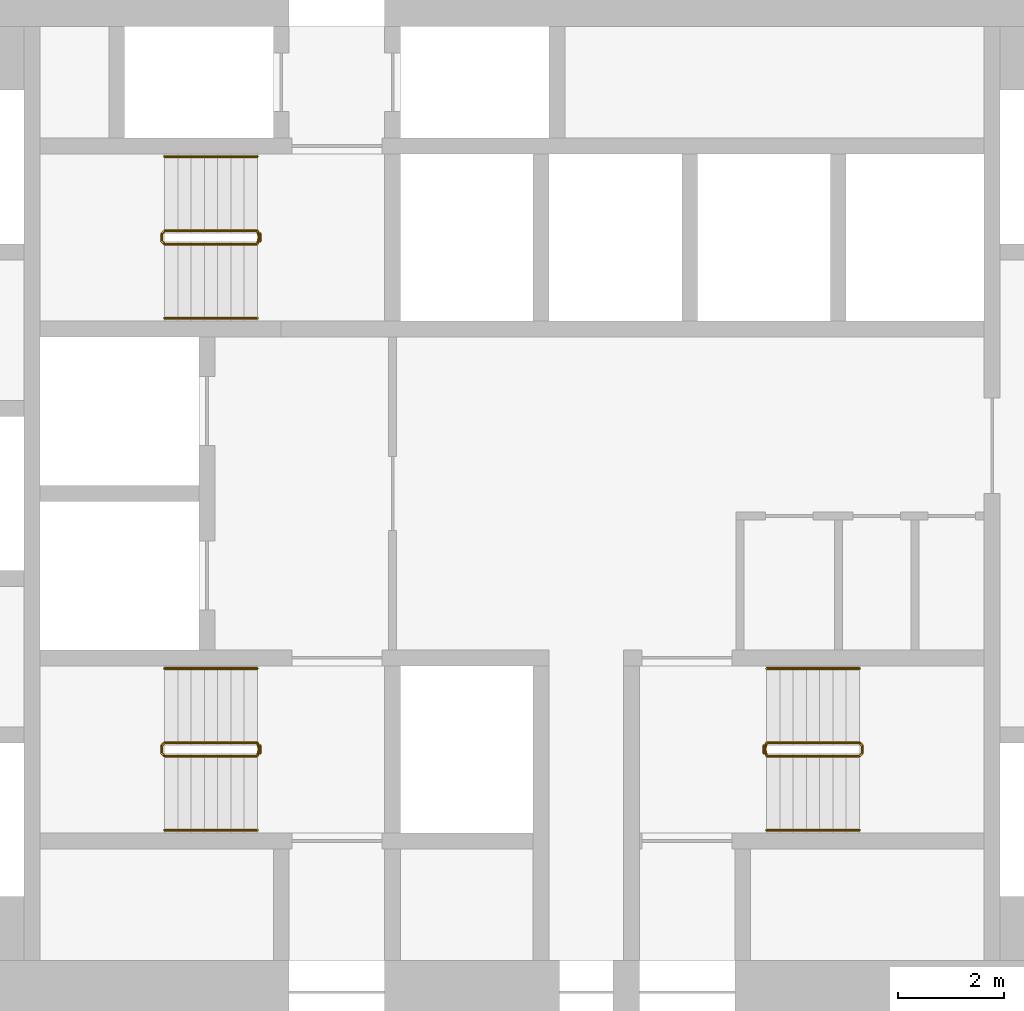
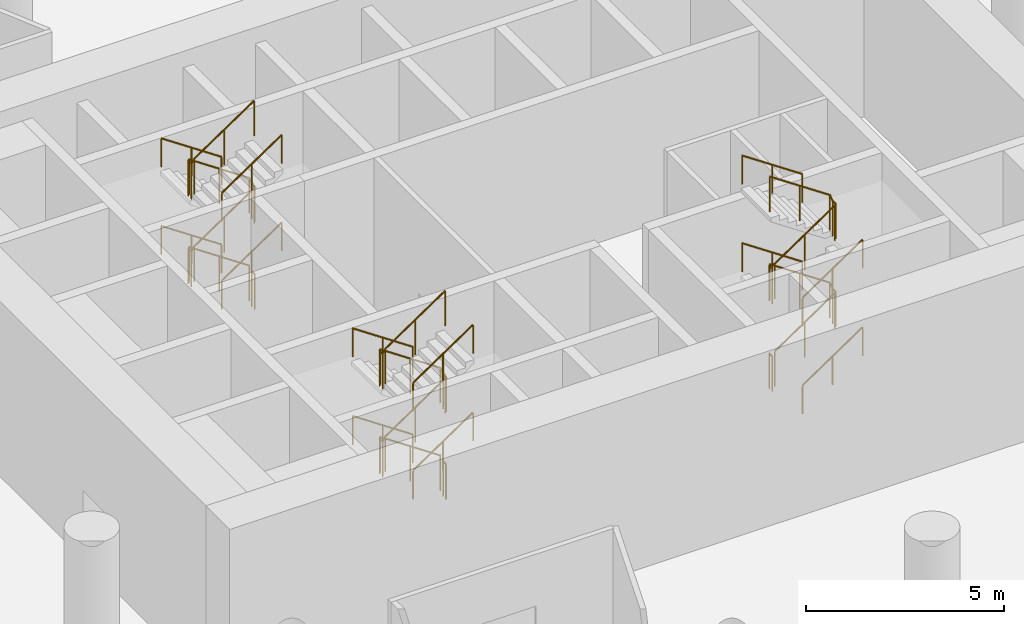
# One storey, part 27 of 27: 18 railings.
"""IFC4 building model written with IfcOpenShell, lengths in metres."""

from ifc_helpers import new_model, si_unit, direction, frame, origin, origin_2d, place, context, subcontext, project, spatial, circle, extrude, material, type_object, element, save


model = new_model("IFC4")

# Units and contexts
model_context = context("Model", 3, precision=1e-05, world=origin(), true_north=direction((0.0, 1.0)))
body_context = subcontext(model_context, "Body", "Model", "MODEL_VIEW")
ifc_project = project(units=[si_unit("LENGTHUNIT", "METRE"), si_unit("AREAUNIT", "SQUARE_METRE"), si_unit("VOLUMEUNIT", "CUBIC_METRE"), si_unit("PLANEANGLEUNIT", "RADIAN"), si_unit("MASSUNIT", "GRAM", prefix="KILO")], contexts=[model_context])

# Site, building, storey
site_placement = place(None, origin())
site = spatial("IfcSite", under=ifc_project, at=site_placement, CompositionType="ELEMENT")
building_placement = place(site_placement, origin())
building = spatial("IfcBuilding", under=site, at=building_placement, Name="Tracery Tower", CompositionType="ELEMENT")
storey_placement = place(building_placement, frame((0.0, 0.0, 114.60009765625)))
storey = spatial("IfcBuildingStorey", under=building, at=storey_placement, Name="L29", CompositionType="ELEMENT", Elevation=114.60009765625)

# Railings
ifc_material_1 = material(Name="Stainless steel and laminated glass", Category="steel")
railing_type_1 = type_object("IfcRailingType", Name="Stair guard 1100", PredefinedType="GUARDRAIL", material=ifc_material_1)
railing_1_placement = place(storey_placement, frame((-4.800048828125, -4.699951171875, 0.168701171875)))
element("IfcRailing", 1, at=railing_1_placement, inside=storey, type_object=railing_type_1, Name="L29 stair ST1 guard 1", PredefinedType="GUARDRAIL", context=body_context, shape_type="SweptSolid", body=[
    extrude(circle(Radius=0.02392578125, at=origin_2d()), frame((0.0, 0.0, 1.076171875), z_axis=(-0.828870122254, 0.0, 0.559441078608), x_axis=(0.0, -1.0, 0.0)), (0.0, 0.0, 1.0), 2.111328125),
    extrude(circle(Radius=0.02392578125, at=origin_2d()), frame((-1.75, 0.0, 2.25732421875), z_axis=(-0.707106781187, -0.707106781187, 0.0), x_axis=(0.707106781187, -0.707106781187, 0.0)), (0.0, 0.0, 1.0), 0.07080078125),
    extrude(circle(Radius=0.02392578125, at=origin_2d()), frame((-1.800048828125, -0.050048828125, 2.25732421875), z_axis=(0.0, -1.0, 0.0), x_axis=(1.0, 0.0, 0.0)), (0.0, 0.0, 1.0), 0.14990234375),
    extrude(circle(Radius=0.02392578125, at=origin_2d()), frame((-1.800048828125, -0.199951171875, 2.25732421875), z_axis=(0.273569069059, -0.273569069059, 0.922127935218), x_axis=(0.707106781187, 0.707106781187, 0.0)), (0.0, 0.0, 1.0), 0.182861328125),
    extrude(circle(Radius=0.02392578125, at=origin_2d()), frame((-1.75, -0.25, 2.42578125), z_axis=(0.828816501605, 0.0, 0.559520514965), x_axis=(0.0, 1.0, 0.0)), (0.0, 0.0, 1.0), 2.111328125),
    extrude(circle(Radius=0.02392578125, at=origin_2d()), frame((0.0, -0.25, 3.607421875), z_axis=(0.242814311512, 0.970072785993, 0.0), x_axis=(-0.970072785993, 0.242814311512, 0.0)), (0.0, 0.0, 1.0), 0.2060546875),
    extrude(circle(Radius=0.02392578125, at=origin_2d()), frame((0.050048828125, -0.050048828125, 3.607421875), z_axis=(0.0, -1.0, 0.0), x_axis=(1.0, 0.0, 0.0)), (0.0, 0.0, 1.0), 0.14990234375),
    extrude(circle(Radius=0.02392578125, at=origin_2d()), frame((0.050048828125, -0.199951171875, 3.607421875), z_axis=(-0.187902113298, 0.750691857518, 0.633367611166), x_axis=(-0.970072785993, -0.242814311512, 0.0)), (0.0, 0.0, 1.0), 0.266357421875),
    extrude(circle(Radius=0.02392578125, at=origin_2d()), frame((0.0, 0.0, 3.77587890625), z_axis=(-0.828870122254, 0.0, 0.559441078608), x_axis=(0.0, -1.0, 0.0)), (0.0, 0.0, 1.0), 2.111328125),
    extrude(circle(Radius=0.02392578125, at=origin_2d()), frame((-1.75, 0.0, 4.95703125), z_axis=(-0.707106781187, -0.707106781187, 0.0), x_axis=(0.707106781187, -0.707106781187, 0.0)), (0.0, 0.0, 1.0), 0.07080078125),
    extrude(circle(Radius=0.02392578125, at=origin_2d()), frame((-1.800048828125, -0.050048828125, 4.95703125), z_axis=(0.0, -1.0, 0.0), x_axis=(1.0, 0.0, 0.0)), (0.0, 0.0, 1.0), 0.14990234375),
    extrude(circle(Radius=0.02392578125, at=origin_2d()), frame((-1.800048828125, -0.199951171875, 4.95703125), z_axis=(0.273232802156, -0.273232802156, 0.922327312645), x_axis=(0.707106781187, 0.707106781187, 0.0)), (0.0, 0.0, 1.0), 0.18310546875),
    extrude(circle(Radius=0.02392578125, at=origin_2d()), frame((-1.75, -0.25, 5.1259765625), z_axis=(0.828870122254, 0.0, 0.559441078608), x_axis=(0.0, 1.0, 0.0)), (0.0, 0.0, 1.0), 2.111328125),
    extrude(circle(Radius=0.02099609375, at=origin_2d()), origin(), (0.0, 0.0, 1.0), 1.052001953125),
    extrude(circle(Radius=0.02099609375, at=origin_2d()), frame((-0.875, 0.0, 0.590576171875)), (0.0, 0.0, 1.0), 1.052001953125),
    extrude(circle(Radius=0.02099609375, at=origin_2d()), frame((-1.75, 0.0, 1.18115234375)), (0.0, 0.0, 1.0), 1.052001953125),
    extrude(circle(Radius=0.02099609375, at=origin_2d()), frame((-1.800048828125, -0.050048828125, 1.18115234375)), (0.0, 0.0, 1.0), 1.052001953125),
    extrude(circle(Radius=0.02099609375, at=origin_2d()), frame((-1.800048828125, -0.199951171875, 1.18115234375)), (0.0, 0.0, 1.0), 1.052001953125),
    extrude(circle(Radius=0.02099609375, at=origin_2d()), frame((-1.75, -0.25, 1.349853515625)), (0.0, 0.0, 1.0), 1.052001953125),
    extrude(circle(Radius=0.02099609375, at=origin_2d()), frame((-0.875, -0.25, 1.9404296875)), (0.0, 0.0, 1.0), 1.052001953125),
    extrude(circle(Radius=0.02099609375, at=origin_2d()), frame((0.0, -0.25, 2.53125)), (0.0, 0.0, 1.0), 1.052001953125),
    extrude(circle(Radius=0.02099609375, at=origin_2d()), frame((0.050048828125, -0.050048828125, 2.53125)), (0.0, 0.0, 1.0), 1.052001953125),
    extrude(circle(Radius=0.02099609375, at=origin_2d()), frame((0.050048828125, -0.199951171875, 2.53125)), (0.0, 0.0, 1.0), 1.052001953125),
    extrude(circle(Radius=0.02099609375, at=origin_2d()), frame((0.0, 0.0, 2.699951171875)), (0.0, 0.0, 1.0), 1.052001953125),
    extrude(circle(Radius=0.02099609375, at=origin_2d()), frame((-0.875, 0.0, 3.29052734375)), (0.0, 0.0, 1.0), 1.052001953125),
    extrude(circle(Radius=0.02099609375, at=origin_2d()), frame((-1.75, 0.0, 3.881103515625)), (0.0, 0.0, 1.0), 1.052001953125),
    extrude(circle(Radius=0.02099609375, at=origin_2d()), frame((-1.800048828125, -0.050048828125, 3.881103515625)), (0.0, 0.0, 1.0), 1.052001953125),
    extrude(circle(Radius=0.02099609375, at=origin_2d()), frame((-1.800048828125, -0.199951171875, 3.881103515625)), (0.0, 0.0, 1.0), 1.052001953125),
    extrude(circle(Radius=0.02099609375, at=origin_2d()), frame((-1.75, -0.25, 4.050048828125)), (0.0, 0.0, 1.0), 1.052001953125),
    extrude(circle(Radius=0.02099609375, at=origin_2d()), frame((-0.875, -0.25, 4.640625)), (0.0, 0.0, 1.0), 1.052001953125),
    extrude(circle(Radius=0.02099609375, at=origin_2d()), frame((0.0, -0.25, 5.231201171875)), (0.0, 0.0, 1.0), 1.052001953125),
])
railing_2_placement = place(storey_placement, frame((-4.75, -4.75, 0.0)))
element("IfcRailing", 2, at=railing_2_placement, inside=storey, type_object=railing_type_1, Name="L29 stair ST1 guard 2", PredefinedType="GUARDRAIL", context=body_context, shape_type="SweptSolid", body=[
    extrude(circle(Radius=0.02392578125, at=origin_2d()), frame((0.0, 0.0, 1.076171875), z_axis=(0.0, -1.0, 0.0), x_axis=(1.0, 0.0, 0.0)), (0.0, 0.0, 1.0), 0.14990234375),
    extrude(circle(Radius=0.02099609375, at=origin_2d()), origin(), (0.0, 0.0, 1.0), 1.052001953125),
    extrude(circle(Radius=0.02099609375, at=origin_2d()), frame((0.0, -0.14990234375, 0.0)), (0.0, 0.0, 1.0), 1.052001953125),
])
railing_3_placement = place(storey_placement, frame((-4.800048828125, 4.949951171875, 0.168701171875)))
element("IfcRailing", 3, at=railing_3_placement, inside=storey, type_object=railing_type_1, Name="L29 stair ST3 guard 1", PredefinedType="GUARDRAIL", context=body_context, shape_type="SweptSolid", body=[
    extrude(circle(Radius=0.02392578125, at=origin_2d()), frame((0.0, 0.0, 1.076171875), z_axis=(-0.828870122254, 0.0, 0.559441078608), x_axis=(0.0, -1.0, 0.0)), (0.0, 0.0, 1.0), 2.111328125),
    extrude(circle(Radius=0.02392578125, at=origin_2d()), frame((-1.75, 0.0, 2.25732421875), z_axis=(-0.707106781187, -0.707106781187, 0.0), x_axis=(0.707106781187, -0.707106781187, 0.0)), (0.0, 0.0, 1.0), 0.07080078125),
    extrude(circle(Radius=0.02392578125, at=origin_2d()), frame((-1.800048828125, -0.050048828125, 2.25732421875), z_axis=(0.0, -1.0, 0.0), x_axis=(1.0, 0.0, 0.0)), (0.0, 0.0, 1.0), 0.14990234375),
    extrude(circle(Radius=0.02392578125, at=origin_2d()), frame((-1.800048828125, -0.199951171875, 2.25732421875), z_axis=(0.273569069059, -0.273569069059, 0.922127935218), x_axis=(0.707106781187, 0.707106781187, 0.0)), (0.0, 0.0, 1.0), 0.182861328125),
    extrude(circle(Radius=0.02392578125, at=origin_2d()), frame((-1.75, -0.25, 2.42578125), z_axis=(0.828816501605, 0.0, 0.559520514965), x_axis=(0.0, 1.0, 0.0)), (0.0, 0.0, 1.0), 2.111328125),
    extrude(circle(Radius=0.02392578125, at=origin_2d()), frame((0.0, -0.25, 3.607421875), z_axis=(0.242814311512, 0.970072785993, 0.0), x_axis=(-0.970072785993, 0.242814311512, 0.0)), (0.0, 0.0, 1.0), 0.2060546875),
    extrude(circle(Radius=0.02392578125, at=origin_2d()), frame((0.050048828125, -0.050048828125, 3.607421875), z_axis=(0.0, -1.0, 0.0), x_axis=(1.0, 0.0, 0.0)), (0.0, 0.0, 1.0), 0.14990234375),
    extrude(circle(Radius=0.02392578125, at=origin_2d()), frame((0.050048828125, -0.199951171875, 3.607421875), z_axis=(-0.187902113298, 0.750691857518, 0.633367611166), x_axis=(-0.970072785993, -0.242814311512, 0.0)), (0.0, 0.0, 1.0), 0.266357421875),
    extrude(circle(Radius=0.02392578125, at=origin_2d()), frame((0.0, 0.0, 3.77587890625), z_axis=(-0.828870122254, 0.0, 0.559441078608), x_axis=(0.0, -1.0, 0.0)), (0.0, 0.0, 1.0), 2.111328125),
    extrude(circle(Radius=0.02392578125, at=origin_2d()), frame((-1.75, 0.0, 4.95703125), z_axis=(-0.707106781187, -0.707106781187, 0.0), x_axis=(0.707106781187, -0.707106781187, 0.0)), (0.0, 0.0, 1.0), 0.07080078125),
    extrude(circle(Radius=0.02392578125, at=origin_2d()), frame((-1.800048828125, -0.050048828125, 4.95703125), z_axis=(0.0, -1.0, 0.0), x_axis=(1.0, 0.0, 0.0)), (0.0, 0.0, 1.0), 0.14990234375),
    extrude(circle(Radius=0.02392578125, at=origin_2d()), frame((-1.800048828125, -0.199951171875, 4.95703125), z_axis=(0.273232802156, -0.273232802156, 0.922327312645), x_axis=(0.707106781187, 0.707106781187, 0.0)), (0.0, 0.0, 1.0), 0.18310546875),
    extrude(circle(Radius=0.02392578125, at=origin_2d()), frame((-1.75, -0.25, 5.1259765625), z_axis=(0.828870122254, 0.0, 0.559441078608), x_axis=(0.0, 1.0, 0.0)), (0.0, 0.0, 1.0), 2.111328125),
    extrude(circle(Radius=0.02099609375, at=origin_2d()), origin(), (0.0, 0.0, 1.0), 1.052001953125),
    extrude(circle(Radius=0.02099609375, at=origin_2d()), frame((-0.875, 0.0, 0.590576171875)), (0.0, 0.0, 1.0), 1.052001953125),
    extrude(circle(Radius=0.02099609375, at=origin_2d()), frame((-1.75, 0.0, 1.18115234375)), (0.0, 0.0, 1.0), 1.052001953125),
    extrude(circle(Radius=0.02099609375, at=origin_2d()), frame((-1.800048828125, -0.050048828125, 1.18115234375)), (0.0, 0.0, 1.0), 1.052001953125),
    extrude(circle(Radius=0.02099609375, at=origin_2d()), frame((-1.800048828125, -0.199951171875, 1.18115234375)), (0.0, 0.0, 1.0), 1.052001953125),
    extrude(circle(Radius=0.02099609375, at=origin_2d()), frame((-1.75, -0.25, 1.349853515625)), (0.0, 0.0, 1.0), 1.052001953125),
    extrude(circle(Radius=0.02099609375, at=origin_2d()), frame((-0.875, -0.25, 1.9404296875)), (0.0, 0.0, 1.0), 1.052001953125),
    extrude(circle(Radius=0.02099609375, at=origin_2d()), frame((0.0, -0.25, 2.53125)), (0.0, 0.0, 1.0), 1.052001953125),
    extrude(circle(Radius=0.02099609375, at=origin_2d()), frame((0.050048828125, -0.050048828125, 2.53125)), (0.0, 0.0, 1.0), 1.052001953125),
    extrude(circle(Radius=0.02099609375, at=origin_2d()), frame((0.050048828125, -0.199951171875, 2.53125)), (0.0, 0.0, 1.0), 1.052001953125),
    extrude(circle(Radius=0.02099609375, at=origin_2d()), frame((0.0, 0.0, 2.699951171875)), (0.0, 0.0, 1.0), 1.052001953125),
    extrude(circle(Radius=0.02099609375, at=origin_2d()), frame((-0.875, 0.0, 3.29052734375)), (0.0, 0.0, 1.0), 1.052001953125),
    extrude(circle(Radius=0.02099609375, at=origin_2d()), frame((-1.75, 0.0, 3.881103515625)), (0.0, 0.0, 1.0), 1.052001953125),
    extrude(circle(Radius=0.02099609375, at=origin_2d()), frame((-1.800048828125, -0.050048828125, 3.881103515625)), (0.0, 0.0, 1.0), 1.052001953125),
    extrude(circle(Radius=0.02099609375, at=origin_2d()), frame((-1.800048828125, -0.199951171875, 3.881103515625)), (0.0, 0.0, 1.0), 1.052001953125),
    extrude(circle(Radius=0.02099609375, at=origin_2d()), frame((-1.75, -0.25, 4.050048828125)), (0.0, 0.0, 1.0), 1.052001953125),
    extrude(circle(Radius=0.02099609375, at=origin_2d()), frame((-0.875, -0.25, 4.640625)), (0.0, 0.0, 1.0), 1.052001953125),
    extrude(circle(Radius=0.02099609375, at=origin_2d()), frame((0.0, -0.25, 5.231201171875)), (0.0, 0.0, 1.0), 1.052001953125),
])
railing_4_placement = place(storey_placement, frame((-4.75, 4.89990234375, 0.0)))
element("IfcRailing", 4, at=railing_4_placement, inside=storey, type_object=railing_type_1, Name="L29 stair ST3 guard 2", PredefinedType="GUARDRAIL", context=body_context, shape_type="SweptSolid", body=[
    extrude(circle(Radius=0.02392578125, at=origin_2d()), frame((0.0, 0.0, 1.076171875), z_axis=(0.0, -1.0, 0.0), x_axis=(1.0, 0.0, 0.0)), (0.0, 0.0, 1.0), 0.14990234375),
    extrude(circle(Radius=0.02099609375, at=origin_2d()), origin(), (0.0, 0.0, 1.0), 1.052001953125),
    extrude(circle(Radius=0.02099609375, at=origin_2d()), frame((0.0, -0.14990234375, 0.0)), (0.0, 0.0, 1.0), 1.052001953125),
])
railing_5_placement = place(storey_placement, frame((4.800048828125, -4.949951171875, 0.168701171875)))
element("IfcRailing", 5, at=railing_5_placement, inside=storey, type_object=railing_type_1, Name="L29 stair ST2 guard 1", PredefinedType="GUARDRAIL", context=body_context, shape_type="SweptSolid", body=[
    extrude(circle(Radius=0.02392578125, at=origin_2d()), frame((0.0, 0.0, 1.076171875), z_axis=(0.828870122254, 0.0, 0.559441078608), x_axis=(0.0, 1.0, 0.0)), (0.0, 0.0, 1.0), 2.111328125),
    extrude(circle(Radius=0.02392578125, at=origin_2d()), frame((1.75, 0.0, 2.25732421875), z_axis=(0.707106781187, 0.707106781187, 0.0), x_axis=(-0.707106781187, 0.707106781187, 0.0)), (0.0, 0.0, 1.0), 0.07080078125),
    extrude(circle(Radius=0.02392578125, at=origin_2d()), frame((1.800048828125, 0.050048828125, 2.25732421875), z_axis=(0.0, 1.0, 0.0), x_axis=(-1.0, 0.0, 0.0)), (0.0, 0.0, 1.0), 0.14990234375),
    extrude(circle(Radius=0.02392578125, at=origin_2d()), frame((1.800048828125, 0.199951171875, 2.25732421875), z_axis=(-0.273569069059, 0.273569069059, 0.922127935218), x_axis=(-0.707106781187, -0.707106781187, 0.0)), (0.0, 0.0, 1.0), 0.182861328125),
    extrude(circle(Radius=0.02392578125, at=origin_2d()), frame((1.75, 0.25, 2.42578125), z_axis=(-0.828816501605, 0.0, 0.559520514965), x_axis=(0.0, -1.0, 0.0)), (0.0, 0.0, 1.0), 2.111328125),
    extrude(circle(Radius=0.02392578125, at=origin_2d()), frame((0.0, 0.25, 3.607421875), z_axis=(-0.242814311512, -0.970072785993, 0.0), x_axis=(0.970072785993, -0.242814311512, 0.0)), (0.0, 0.0, 1.0), 0.2060546875),
    extrude(circle(Radius=0.02392578125, at=origin_2d()), frame((-0.050048828125, 0.050048828125, 3.607421875), z_axis=(0.0, 1.0, 0.0), x_axis=(-1.0, 0.0, 0.0)), (0.0, 0.0, 1.0), 0.14990234375),
    extrude(circle(Radius=0.02392578125, at=origin_2d()), frame((-0.050048828125, 0.199951171875, 3.607421875), z_axis=(0.187902113298, -0.750691857518, 0.633367611166), x_axis=(0.970072785993, 0.242814311512, 0.0)), (0.0, 0.0, 1.0), 0.266357421875),
    extrude(circle(Radius=0.02392578125, at=origin_2d()), frame((0.0, 0.0, 3.77587890625), z_axis=(0.828870122254, 0.0, 0.559441078608), x_axis=(0.0, 1.0, 0.0)), (0.0, 0.0, 1.0), 2.111328125),
    extrude(circle(Radius=0.02392578125, at=origin_2d()), frame((1.75, 0.0, 4.95703125), z_axis=(0.707106781187, 0.707106781187, 0.0), x_axis=(-0.707106781187, 0.707106781187, 0.0)), (0.0, 0.0, 1.0), 0.07080078125),
    extrude(circle(Radius=0.02392578125, at=origin_2d()), frame((1.800048828125, 0.050048828125, 4.95703125), z_axis=(0.0, 1.0, 0.0), x_axis=(-1.0, 0.0, 0.0)), (0.0, 0.0, 1.0), 0.14990234375),
    extrude(circle(Radius=0.02392578125, at=origin_2d()), frame((1.800048828125, 0.199951171875, 4.95703125), z_axis=(-0.273232802156, 0.273232802156, 0.922327312645), x_axis=(-0.707106781187, -0.707106781187, 0.0)), (0.0, 0.0, 1.0), 0.18310546875),
    extrude(circle(Radius=0.02392578125, at=origin_2d()), frame((1.75, 0.25, 5.1259765625), z_axis=(-0.828870122254, 0.0, 0.559441078608), x_axis=(0.0, -1.0, 0.0)), (0.0, 0.0, 1.0), 2.111328125),
    extrude(circle(Radius=0.02099609375, at=origin_2d()), origin(), (0.0, 0.0, 1.0), 1.052001953125),
    extrude(circle(Radius=0.02099609375, at=origin_2d()), frame((0.875, 0.0, 0.590576171875)), (0.0, 0.0, 1.0), 1.052001953125),
    extrude(circle(Radius=0.02099609375, at=origin_2d()), frame((1.75, 0.0, 1.18115234375)), (0.0, 0.0, 1.0), 1.052001953125),
    extrude(circle(Radius=0.02099609375, at=origin_2d()), frame((1.800048828125, 0.050048828125, 1.18115234375)), (0.0, 0.0, 1.0), 1.052001953125),
    extrude(circle(Radius=0.02099609375, at=origin_2d()), frame((1.800048828125, 0.199951171875, 1.18115234375)), (0.0, 0.0, 1.0), 1.052001953125),
    extrude(circle(Radius=0.02099609375, at=origin_2d()), frame((1.75, 0.25, 1.349853515625)), (0.0, 0.0, 1.0), 1.052001953125),
    extrude(circle(Radius=0.02099609375, at=origin_2d()), frame((0.875, 0.25, 1.9404296875)), (0.0, 0.0, 1.0), 1.052001953125),
    extrude(circle(Radius=0.02099609375, at=origin_2d()), frame((0.0, 0.25, 2.53125)), (0.0, 0.0, 1.0), 1.052001953125),
    extrude(circle(Radius=0.02099609375, at=origin_2d()), frame((-0.050048828125, 0.050048828125, 2.53125)), (0.0, 0.0, 1.0), 1.052001953125),
    extrude(circle(Radius=0.02099609375, at=origin_2d()), frame((-0.050048828125, 0.199951171875, 2.53125)), (0.0, 0.0, 1.0), 1.052001953125),
    extrude(circle(Radius=0.02099609375, at=origin_2d()), frame((0.0, 0.0, 2.699951171875)), (0.0, 0.0, 1.0), 1.052001953125),
    extrude(circle(Radius=0.02099609375, at=origin_2d()), frame((0.875, 0.0, 3.29052734375)), (0.0, 0.0, 1.0), 1.052001953125),
    extrude(circle(Radius=0.02099609375, at=origin_2d()), frame((1.75, 0.0, 3.881103515625)), (0.0, 0.0, 1.0), 1.052001953125),
    extrude(circle(Radius=0.02099609375, at=origin_2d()), frame((1.800048828125, 0.050048828125, 3.881103515625)), (0.0, 0.0, 1.0), 1.052001953125),
    extrude(circle(Radius=0.02099609375, at=origin_2d()), frame((1.800048828125, 0.199951171875, 3.881103515625)), (0.0, 0.0, 1.0), 1.052001953125),
    extrude(circle(Radius=0.02099609375, at=origin_2d()), frame((1.75, 0.25, 4.050048828125)), (0.0, 0.0, 1.0), 1.052001953125),
    extrude(circle(Radius=0.02099609375, at=origin_2d()), frame((0.875, 0.25, 4.640625)), (0.0, 0.0, 1.0), 1.052001953125),
    extrude(circle(Radius=0.02099609375, at=origin_2d()), frame((0.0, 0.25, 5.231201171875)), (0.0, 0.0, 1.0), 1.052001953125),
])
railing_6_placement = place(storey_placement, frame((4.75, -4.89990234375, 0.0)))
element("IfcRailing", 6, at=railing_6_placement, inside=storey, type_object=railing_type_1, Name="L29 stair ST2 guard 2", PredefinedType="GUARDRAIL", context=body_context, shape_type="SweptSolid", body=[
    extrude(circle(Radius=0.02392578125, at=origin_2d()), frame((0.0, 0.0, 1.076171875), z_axis=(0.0, 1.0, 0.0), x_axis=(-1.0, 0.0, 0.0)), (0.0, 0.0, 1.0), 0.14990234375),
    extrude(circle(Radius=0.02099609375, at=origin_2d()), origin(), (0.0, 0.0, 1.0), 1.052001953125),
    extrude(circle(Radius=0.02099609375, at=origin_2d()), frame((0.0, 0.14990234375, 0.0)), (0.0, 0.0, 1.0), 1.052001953125),
])
ifc_material_2 = material(Name="Stainless steel and laminated glass", Category="steel")
railing_type_2 = type_object("IfcRailingType", Name="Stair handrail 900", PredefinedType="HANDRAIL", material=ifc_material_2)
railing_7_placement = place(storey_placement, frame((-4.800048828125, -3.300048828125, 0.168701171875)))
element("IfcRailing", 7, at=railing_7_placement, inside=storey, type_object=railing_type_2, Name="L29 stair ST1 handrail 1", PredefinedType="HANDRAIL", context=body_context, shape_type="SweptSolid", body=[
    extrude(circle(Radius=0.02392578125, at=origin_2d()), frame((0.0, 0.0, 0.8759765625), z_axis=(-0.828870122254, 0.0, 0.559441078608), x_axis=(0.0, -1.0, 0.0)), (0.0, 0.0, 1.0), 2.111328125),
    extrude(circle(Radius=0.02099609375, at=origin_2d()), origin(), (0.0, 0.0, 1.0), 0.851806640625),
    extrude(circle(Radius=0.02099609375, at=origin_2d()), frame((-0.875, 0.0, 0.590576171875)), (0.0, 0.0, 1.0), 0.851806640625),
    extrude(circle(Radius=0.02099609375, at=origin_2d()), frame((-1.75, 0.0, 1.18115234375)), (0.0, 0.0, 1.0), 0.851806640625),
])
railing_8_placement = place(storey_placement, frame((-6.550048828125, -6.35009765625, 1.5185546875)))
element("IfcRailing", 8, at=railing_8_placement, inside=storey, type_object=railing_type_2, Name="L29 stair ST1 handrail 2", PredefinedType="HANDRAIL", context=body_context, shape_type="SweptSolid", body=[
    extrude(circle(Radius=0.02392578125, at=origin_2d()), frame((0.0, 0.0, 0.8759765625), z_axis=(0.828816501605, 0.0, 0.559520514965), x_axis=(0.0, 1.0, 0.0)), (0.0, 0.0, 1.0), 2.111328125),
    extrude(circle(Radius=0.02099609375, at=origin_2d()), origin(), (0.0, 0.0, 1.0), 0.851806640625),
    extrude(circle(Radius=0.02099609375, at=origin_2d()), frame((0.875, 0.0, 0.5908203125)), (0.0, 0.0, 1.0), 0.851806640625),
    extrude(circle(Radius=0.02099609375, at=origin_2d()), frame((1.75, 0.0, 1.181396484375)), (0.0, 0.0, 1.0), 0.851806640625),
])
railing_9_placement = place(storey_placement, frame((-4.800048828125, -3.300048828125, 2.86865234375)))
element("IfcRailing", 9, at=railing_9_placement, inside=storey, type_object=railing_type_2, Name="L29 stair ST1 handrail 3", PredefinedType="HANDRAIL", context=body_context, shape_type="SweptSolid", body=[
    extrude(circle(Radius=0.02392578125, at=origin_2d()), frame((0.0, 0.0, 0.8759765625), z_axis=(-0.828870122254, 0.0, 0.559441078608), x_axis=(0.0, -1.0, 0.0)), (0.0, 0.0, 1.0), 2.111328125),
    extrude(circle(Radius=0.02099609375, at=origin_2d()), origin(), (0.0, 0.0, 1.0), 0.851806640625),
    extrude(circle(Radius=0.02099609375, at=origin_2d()), frame((-0.875, 0.0, 0.590576171875)), (0.0, 0.0, 1.0), 0.851806640625),
    extrude(circle(Radius=0.02099609375, at=origin_2d()), frame((-1.75, 0.0, 1.18115234375)), (0.0, 0.0, 1.0), 0.851806640625),
])
railing_10_placement = place(storey_placement, frame((-6.550048828125, -6.35009765625, 4.21875)))
element("IfcRailing", 10, at=railing_10_placement, inside=storey, type_object=railing_type_2, Name="L29 stair ST1 handrail 4", PredefinedType="HANDRAIL", context=body_context, shape_type="SweptSolid", body=[
    extrude(circle(Radius=0.02392578125, at=origin_2d()), frame((0.0, 0.0, 0.8759765625), z_axis=(0.828870122254, 0.0, 0.559441078608), x_axis=(0.0, 1.0, 0.0)), (0.0, 0.0, 1.0), 2.111328125),
    extrude(circle(Radius=0.02099609375, at=origin_2d()), origin(), (0.0, 0.0, 1.0), 0.851806640625),
    extrude(circle(Radius=0.02099609375, at=origin_2d()), frame((0.875, 0.0, 0.590576171875)), (0.0, 0.0, 1.0), 0.851806640625),
    extrude(circle(Radius=0.02099609375, at=origin_2d()), frame((1.75, 0.0, 1.18115234375)), (0.0, 0.0, 1.0), 0.851806640625),
])
railing_11_placement = place(storey_placement, frame((-4.800048828125, 6.35009765625, 0.168701171875)))
element("IfcRailing", 11, at=railing_11_placement, inside=storey, type_object=railing_type_2, Name="L29 stair ST3 handrail 1", PredefinedType="HANDRAIL", context=body_context, shape_type="SweptSolid", body=[
    extrude(circle(Radius=0.02392578125, at=origin_2d()), frame((0.0, 0.0, 0.8759765625), z_axis=(-0.828870122254, 0.0, 0.559441078608), x_axis=(0.0, -1.0, 0.0)), (0.0, 0.0, 1.0), 2.111328125),
    extrude(circle(Radius=0.02099609375, at=origin_2d()), origin(), (0.0, 0.0, 1.0), 0.851806640625),
    extrude(circle(Radius=0.02099609375, at=origin_2d()), frame((-0.875, 0.0, 0.590576171875)), (0.0, 0.0, 1.0), 0.851806640625),
    extrude(circle(Radius=0.02099609375, at=origin_2d()), frame((-1.75, 0.0, 1.18115234375)), (0.0, 0.0, 1.0), 0.851806640625),
])
railing_12_placement = place(storey_placement, frame((-6.550048828125, 3.300048828125, 1.5185546875)))
element("IfcRailing", 12, at=railing_12_placement, inside=storey, type_object=railing_type_2, Name="L29 stair ST3 handrail 2", PredefinedType="HANDRAIL", context=body_context, shape_type="SweptSolid", body=[
    extrude(circle(Radius=0.02392578125, at=origin_2d()), frame((0.0, 0.0, 0.8759765625), z_axis=(0.828816501605, 0.0, 0.559520514965), x_axis=(0.0, 1.0, 0.0)), (0.0, 0.0, 1.0), 2.111328125),
    extrude(circle(Radius=0.02099609375, at=origin_2d()), origin(), (0.0, 0.0, 1.0), 0.851806640625),
    extrude(circle(Radius=0.02099609375, at=origin_2d()), frame((0.875, 0.0, 0.5908203125)), (0.0, 0.0, 1.0), 0.851806640625),
    extrude(circle(Radius=0.02099609375, at=origin_2d()), frame((1.75, 0.0, 1.181396484375)), (0.0, 0.0, 1.0), 0.851806640625),
])
railing_13_placement = place(storey_placement, frame((-4.800048828125, 6.35009765625, 2.86865234375)))
element("IfcRailing", 13, at=railing_13_placement, inside=storey, type_object=railing_type_2, Name="L29 stair ST3 handrail 3", PredefinedType="HANDRAIL", context=body_context, shape_type="SweptSolid", body=[
    extrude(circle(Radius=0.02392578125, at=origin_2d()), frame((0.0, 0.0, 0.8759765625), z_axis=(-0.828870122254, 0.0, 0.559441078608), x_axis=(0.0, -1.0, 0.0)), (0.0, 0.0, 1.0), 2.111328125),
    extrude(circle(Radius=0.02099609375, at=origin_2d()), origin(), (0.0, 0.0, 1.0), 0.851806640625),
    extrude(circle(Radius=0.02099609375, at=origin_2d()), frame((-0.875, 0.0, 0.590576171875)), (0.0, 0.0, 1.0), 0.851806640625),
    extrude(circle(Radius=0.02099609375, at=origin_2d()), frame((-1.75, 0.0, 1.18115234375)), (0.0, 0.0, 1.0), 0.851806640625),
])
for number, where, name in (
    (14, (-6.550048828125, 3.300048828125, 4.21875), "L29 stair ST3 handrail 4"),
    (15, (4.800048828125, -6.35009765625, 0.168701171875), "L29 stair ST2 handrail 1"),
):
    element("IfcRailing", number, at=place(storey_placement, frame(where)), inside=storey, type_object=railing_type_2, Name=name, PredefinedType="HANDRAIL", context=body_context, shape_type="SweptSolid", body=[
        extrude(circle(Radius=0.02392578125, at=origin_2d()), frame((0.0, 0.0, 0.8759765625), z_axis=(0.828870122254, 0.0, 0.559441078608), x_axis=(0.0, 1.0, 0.0)), (0.0, 0.0, 1.0), 2.111328125),
        extrude(circle(Radius=0.02099609375, at=origin_2d()), origin(), (0.0, 0.0, 1.0), 0.851806640625),
        extrude(circle(Radius=0.02099609375, at=origin_2d()), frame((0.875, 0.0, 0.590576171875)), (0.0, 0.0, 1.0), 0.851806640625),
        extrude(circle(Radius=0.02099609375, at=origin_2d()), frame((1.75, 0.0, 1.18115234375)), (0.0, 0.0, 1.0), 0.851806640625),
    ])
railing_14_placement = place(storey_placement, frame((6.550048828125, -3.300048828125, 1.5185546875)))
element("IfcRailing", 16, at=railing_14_placement, inside=storey, type_object=railing_type_2, Name="L29 stair ST2 handrail 2", PredefinedType="HANDRAIL", context=body_context, shape_type="SweptSolid", body=[
    extrude(circle(Radius=0.02392578125, at=origin_2d()), frame((0.0, 0.0, 0.8759765625), z_axis=(-0.828816501605, 0.0, 0.559520514965), x_axis=(0.0, -1.0, 0.0)), (0.0, 0.0, 1.0), 2.111328125),
    extrude(circle(Radius=0.02099609375, at=origin_2d()), origin(), (0.0, 0.0, 1.0), 0.851806640625),
    extrude(circle(Radius=0.02099609375, at=origin_2d()), frame((-0.875, 0.0, 0.5908203125)), (0.0, 0.0, 1.0), 0.851806640625),
    extrude(circle(Radius=0.02099609375, at=origin_2d()), frame((-1.75, 0.0, 1.181396484375)), (0.0, 0.0, 1.0), 0.851806640625),
])
railing_15_placement = place(storey_placement, frame((4.800048828125, -6.35009765625, 2.86865234375)))
element("IfcRailing", 17, at=railing_15_placement, inside=storey, type_object=railing_type_2, Name="L29 stair ST2 handrail 3", PredefinedType="HANDRAIL", context=body_context, shape_type="SweptSolid", body=[
    extrude(circle(Radius=0.02392578125, at=origin_2d()), frame((0.0, 0.0, 0.8759765625), z_axis=(0.828870122254, 0.0, 0.559441078608), x_axis=(0.0, 1.0, 0.0)), (0.0, 0.0, 1.0), 2.111328125),
    extrude(circle(Radius=0.02099609375, at=origin_2d()), origin(), (0.0, 0.0, 1.0), 0.851806640625),
    extrude(circle(Radius=0.02099609375, at=origin_2d()), frame((0.875, 0.0, 0.590576171875)), (0.0, 0.0, 1.0), 0.851806640625),
    extrude(circle(Radius=0.02099609375, at=origin_2d()), frame((1.75, 0.0, 1.18115234375)), (0.0, 0.0, 1.0), 0.851806640625),
])
railing_16_placement = place(storey_placement, frame((6.550048828125, -3.300048828125, 4.21875)))
element("IfcRailing", 18, at=railing_16_placement, inside=storey, type_object=railing_type_2, Name="L29 stair ST2 handrail 4", PredefinedType="HANDRAIL", context=body_context, shape_type="SweptSolid", body=[
    extrude(circle(Radius=0.02392578125, at=origin_2d()), frame((0.0, 0.0, 0.8759765625), z_axis=(-0.828870122254, 0.0, 0.559441078608), x_axis=(0.0, -1.0, 0.0)), (0.0, 0.0, 1.0), 2.111328125),
    extrude(circle(Radius=0.02099609375, at=origin_2d()), origin(), (0.0, 0.0, 1.0), 0.851806640625),
    extrude(circle(Radius=0.02099609375, at=origin_2d()), frame((-0.875, 0.0, 0.590576171875)), (0.0, 0.0, 1.0), 0.851806640625),
    extrude(circle(Radius=0.02099609375, at=origin_2d()), frame((-1.75, 0.0, 1.18115234375)), (0.0, 0.0, 1.0), 0.851806640625),
])

save(model, "model.ifc")
